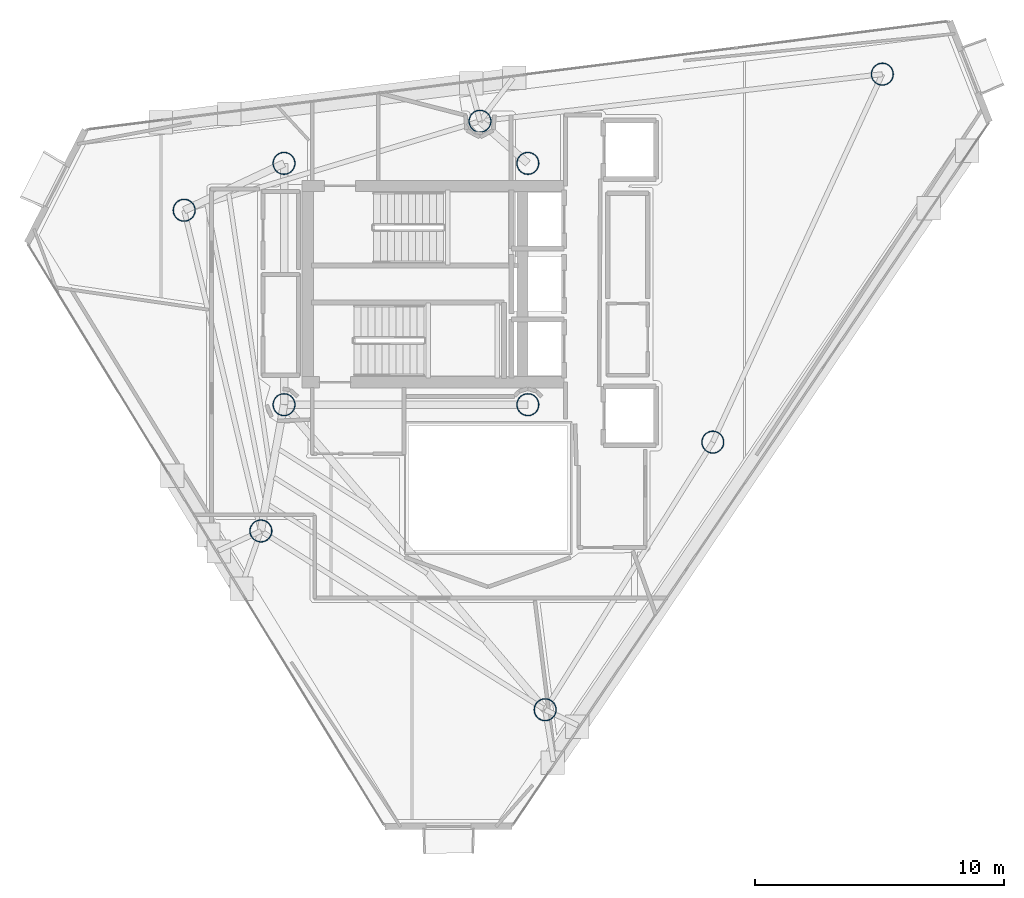
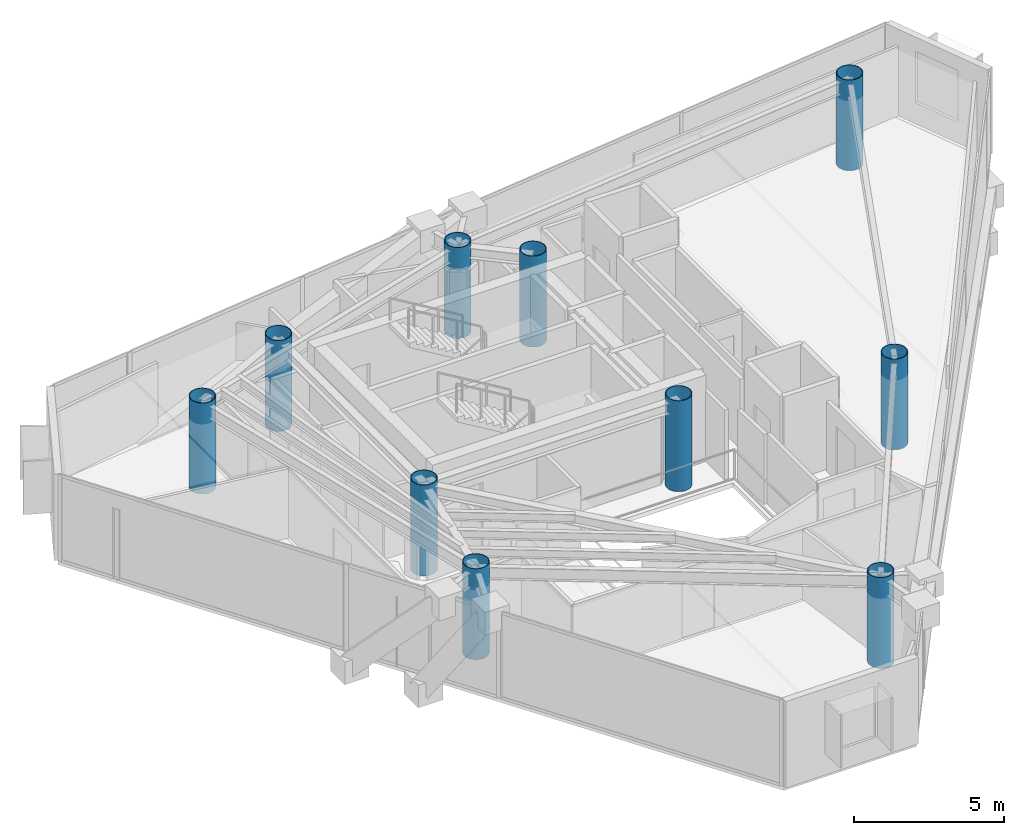
# One storey, part 1 of 23: 10 columns.
"""IFC4 building model written with IfcOpenShell, lengths in metres."""

from ifc_helpers import new_model, si_unit, direction, frame, origin, origin_2d, place, context, subcontext, project, spatial, hollow_circle, extrude, material, material_profile, profile_set, type_object, element, save


model = new_model("IFC4")

# Units and contexts
model_context = context("Model", 3, precision=1e-05, world=origin(), true_north=direction((0.0, 1.0)))
body_context = subcontext(model_context, "Body", "Model", "MODEL_VIEW")
ifc_project = project(units=[si_unit("LENGTHUNIT", "METRE"), si_unit("AREAUNIT", "SQUARE_METRE"), si_unit("VOLUMEUNIT", "CUBIC_METRE"), si_unit("PLANEANGLEUNIT", "RADIAN"), si_unit("MASSUNIT", "GRAM", prefix="KILO")], contexts=[model_context])

# Site, building, storey
site_placement = place(None, origin())
site = spatial("IfcSite", under=ifc_project, at=site_placement, CompositionType="ELEMENT")
building_placement = place(site_placement, origin())
building = spatial("IfcBuilding", under=site, at=building_placement, Name="Qianvela Tower", CompositionType="ELEMENT")
storey_placement = place(building_placement, frame((0.0, 0.0, 284.300048828125)))
storey = spatial("IfcBuildingStorey", under=building, at=storey_placement, Name="L73", CompositionType="ELEMENT", Elevation=284.300048828125)

# Columns
ifc_material = material(Name="Steel Q420GJC", Category="steel")
ifc_material_profile = material_profile(ifc_material, hollow_circle(Radius=0.449951171875, WallThickness=0.02490234375, at=origin_2d()), Name="CFT-900x25")
ifc_profile_set = profile_set([ifc_material_profile], Name="Steel Q420GJC")
column_type = type_object("IfcColumnType", Name="COL-CFT-900x25", PredefinedType="COLUMN", material=ifc_profile_set)
for number, where, z_axis, x_axis, name in (
    (1, (28.60009765625, 33.550048828125, 0.0), (0.0, 0.0, 1.0), (1.0, 0.0, 0.0), "L73 Core Corner Mega-Column CC-NW"),
    (2, (28.60009765625, 23.85009765625, 0.0), (0.0, 0.0, 1.0), (1.0, 0.0, 0.0), "L73 Core Corner Mega-Column CC-SW"),
    (3, (38.39990234375, 33.550048828125, 0.0), (0.0, 0.0, 1.0), (1.0, 0.0, 0.0), "L73 Core Corner Mega-Column CC-NE"),
    (4, (38.39990234375, 23.85009765625, 0.0), (0.0, 0.0, 1.0), (1.0, 0.0, 0.0), "L73 Core Corner Mega-Column CC-SE"),
    (5, (52.64794921875, 37.135009765625, 0.0), (0.0, 0.0, 1.0), (1.0, 0.0, 0.0), "L73 Zone Z7 CFT Mega-Column C1"),
    (6, (36.47607421875, 35.242919921875, 0.0), (0.0, 0.0, 1.0), (1.0, 0.0, 0.0), "L73 Zone Z7 CFT Mega-Column C2"),
    (7, (24.5869140625, 31.6630859375, 0.0), (0.0, 0.0, 1.0), (1.0, 0.0, 0.0), "L73 Zone Z7 CFT Mega-Column C3"),
    (8, (27.669921875, 18.77392578125, 0.0), (0.0, 0.0, 1.0), (1.0, 0.0, 0.0), "L73 Zone Z7 CFT Mega-Column C4"),
    (9, (39.095947265625, 11.587890625, 0.0), (0.0, 0.0, 1.0), (1.0, 0.0, 0.0), "L73 Zone Z7 CFT Mega-Column C5"),
    (10, (45.833984375, 22.344970703125, 0.0), (0.0, 0.0, 1.0), (1.0, 0.0, 0.0), "L73 Zone Z7 CFT Mega-Column C6"),
):
    element("IfcColumn", number, at=place(storey_placement, frame(where, z_axis=z_axis, x_axis=x_axis)), inside=storey, type_object=column_type, Name=name, PredefinedType="COLUMN", context=body_context, shape_type="SweptSolid", body=[
        extrude(hollow_circle(Radius=0.449951171875, WallThickness=0.02490234375, at=origin_2d()), origin(), (0.0, 0.0, 1.0), 3.699951171875),
    ])

save(model, "model.ifc")
